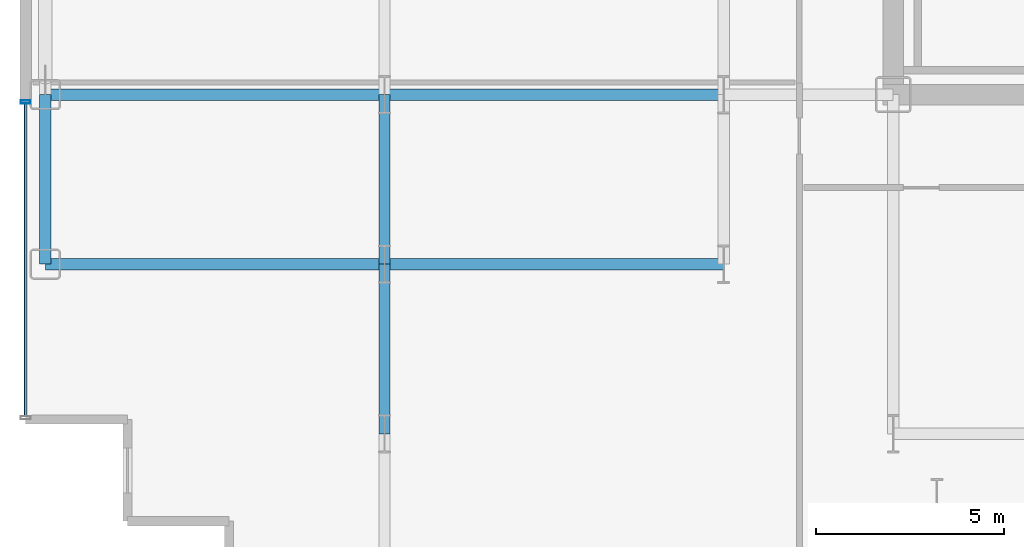
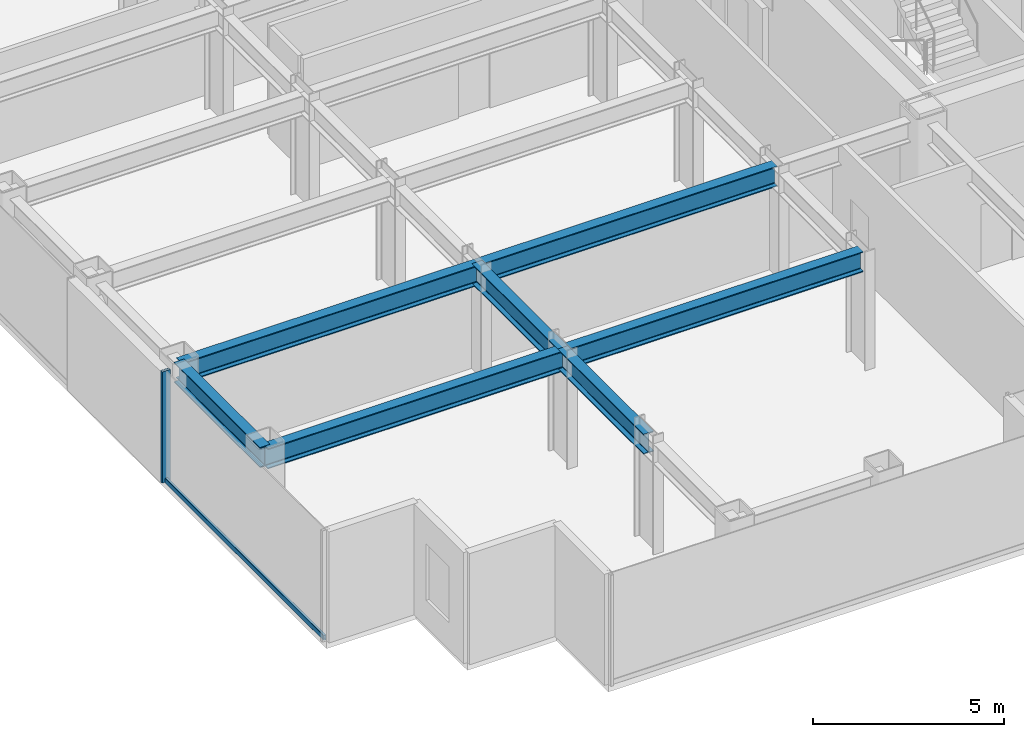
# One storey, part 3 of 29: 7 beams, 2 members, 1 element without a shape of its own.
"""IFC4 building model written with IfcOpenShell, lengths in metres."""

import ifcopenshell
import ifcopenshell.guid

model = None  # the IFC model being written
_history = None  # IfcOwnerHistory: only IFC2X3 demands one
_inside = {}  # id of a spatial element -> (the spatial element, [elements in it])
_under = {}  # id of a project, library or spatial element -> (it, [spatial elements below it])
_declared = {}  # id of a project -> (the project, [libraries it declares])
_typed = {}  # id of a type object -> (the type object, [elements of that type])
_made_of = {}  # id of a material, layer set ... -> (it, [elements and type objects made of it])


def new_model(schema):
    """Start an empty IFC model of exactly this schema.

    Asked for "IFC4X3", IfcOpenShell would pick the latest addendum, in which some entities
    have other attributes; the version numbers below select the first issue.
    IFC2X3 requires an IfcOwnerHistory on every rooted entity: one is made here for all.
    """
    global model, _history
    if schema == "IFC4X3":
        model = ifcopenshell.file(schema_version=(4, 3, 0, 0))
    else:
        model = ifcopenshell.file(schema=schema)
    _inside.clear()
    _under.clear()
    _declared.clear()
    _typed.clear()
    _made_of.clear()
    _history = None
    if model.schema == "IFC2X3":
        org = make("IfcOrganization", Name="unknown")
        user = make(
            "IfcPersonAndOrganization",
            ThePerson=make("IfcPerson", FamilyName="unknown"),
            TheOrganization=org,
        )
        app = make(
            "IfcApplication",
            ApplicationDeveloper=org,
            Version="unknown",
            ApplicationFullName="unknown",
            ApplicationIdentifier="unknown",
        )
        _history = make(
            "IfcOwnerHistory",
            OwningUser=user,
            OwningApplication=app,
            ChangeAction="ADDED",
            CreationDate=0,
        )
    return model


def make(cls, **values):
    """One entity of the class cls with the attributes given. An attribute that is None is left unset."""
    return model.create_entity(
        cls, **{name: value for name, value in values.items() if value is not None}
    )


def rooted(cls, **values):
    """An entity with a GlobalId (a new one), such as an element, a storey or a relation."""
    return make(cls, GlobalId=ifcopenshell.guid.new(), OwnerHistory=_history, **values)


def si_unit(unit_type, name, prefix=None):
    """IfcSIUnit, for example si_unit("LENGTHUNIT", "METRE", prefix="MILLI")."""
    return make("IfcSIUnit", UnitType=unit_type, Prefix=prefix, Name=name)


def assignment(units):
    """IfcUnitAssignment: the units of a project."""
    return None if units is None else make("IfcUnitAssignment", Units=units)


def point(xyz):
    """IfcCartesianPoint."""
    return None if xyz is None else make("IfcCartesianPoint", Coordinates=xyz)


def direction(xyz):
    """IfcDirection."""
    return None if xyz is None else make("IfcDirection", DirectionRatios=xyz)


def frame(location, z_axis=None, x_axis=None):
    """IfcAxis2Placement3D, a coordinate frame: its origin and axes. An axis left out is left unset."""
    return make(
        "IfcAxis2Placement3D",
        Location=point(location),
        Axis=direction(z_axis),
        RefDirection=direction(x_axis),
    )


def frame_2d(location, x_axis=None):
    """IfcAxis2Placement2D, a coordinate frame in the plane: its origin and x axis."""
    return make(
        "IfcAxis2Placement2D", Location=point(location), RefDirection=direction(x_axis)
    )


def origin():
    """The frame at (0, 0, 0) with its axes left unset."""
    return frame((0.0, 0.0, 0.0))


def origin_2d():
    """The frame at (0, 0) in the plane with its x axis left unset."""
    return frame_2d((0.0, 0.0))


def place(relative_to, where):
    """IfcLocalPlacement: puts the frame where relative to a parent placement (None: the world)."""
    return make(
        "IfcLocalPlacement", PlacementRelTo=relative_to, RelativePlacement=where
    )


def context(
    kind, dimensions, precision=None, world=None, true_north=None, identifier=None
):
    """IfcGeometricRepresentationContext, for example the 3D "Model" context."""
    return make(
        "IfcGeometricRepresentationContext",
        ContextIdentifier=identifier,
        ContextType=kind,
        CoordinateSpaceDimension=dimensions,
        Precision=precision,
        WorldCoordinateSystem=world,
        TrueNorth=true_north,
    )


def subcontext(parent, identifier, kind, view, scale=None):
    """IfcGeometricRepresentationSubContext, for example "Body" below "Model"."""
    return make(
        "IfcGeometricRepresentationSubContext",
        ContextIdentifier=identifier,
        ContextType=kind,
        ParentContext=parent,
        TargetScale=scale,
        TargetView=view,
    )


def project(units=None, contexts=None):
    """IfcProject with its units and contexts."""
    return rooted(
        "IfcProject",
        Name="project",
        RepresentationContexts=contexts,
        UnitsInContext=assignment(units),
    )


def spatial(cls, under=None, at=None, **own):
    """A site, building, storey or space (cls), placed at a placement, below another one or the project."""
    s = rooted(cls, ObjectPlacement=at, **own)
    if under is not None:
        _under.setdefault(under.id(), (under, []))[1].append(s)
    return s


def profile(cls, at=None, kind="AREA", **sizes):
    """A parametric profile (cls). Its sizes go by their IFC names, for example OverallWidth=200.0."""
    return make(cls, ProfileType=kind, Position=at, **sizes)


def hollow_rectangle(**sizes):
    """IfcRectangleHollowProfileDef."""
    return profile("IfcRectangleHollowProfileDef", **sizes)


def i_section(**sizes):
    """IfcIShapeProfileDef."""
    return profile("IfcIShapeProfileDef", **sizes)


def extrude(swept, where, along, depth):
    """IfcExtrudedAreaSolid: the profile swept, set in the frame where, extruded along a direction by depth."""
    return make(
        "IfcExtrudedAreaSolid",
        SweptArea=swept,
        Position=where,
        ExtrudedDirection=direction(along),
        Depth=depth,
    )


def shape(context_of_items, identifier, shape_type, items):
    """IfcShapeRepresentation: the items that make up one representation, for example the "Body"."""
    return make(
        "IfcShapeRepresentation",
        ContextOfItems=context_of_items,
        RepresentationIdentifier=identifier,
        RepresentationType=shape_type,
        Items=items,
    )


def source(mapping_origin, context_of_items, identifier, shape_type, items):
    """IfcRepresentationMap: a shape defined once, which mapped items show again and again."""
    return make(
        "IfcRepresentationMap",
        MappingOrigin=mapping_origin,
        MappedRepresentation=shape(context_of_items, identifier, shape_type, items),
    )


def transform(
    local_origin,
    x_axis=None,
    y_axis=None,
    z_axis=None,
    scale=None,
    scale2=None,
    scale3=None,
    uniform=True,
):
    """IfcCartesianTransformationOperator3D, or its non-uniform kind. x_axis, y_axis, z_axis: its Axis1, 2, 3."""
    if uniform:
        return make(
            "IfcCartesianTransformationOperator3D",
            Axis1=direction(x_axis),
            Axis2=direction(y_axis),
            LocalOrigin=point(local_origin),
            Scale=scale,
            Axis3=direction(z_axis),
        )
    return make(
        "IfcCartesianTransformationOperator3DnonUniform",
        Axis1=direction(x_axis),
        Axis2=direction(y_axis),
        LocalOrigin=point(local_origin),
        Scale=scale,
        Axis3=direction(z_axis),
        Scale2=scale2,
        Scale3=scale3,
    )


def mapped(mapping_source, mapping_target):
    """IfcMappedItem: shows the shape of a source again, moved by a transform."""
    return make(
        "IfcMappedItem", MappingSource=mapping_source, MappingTarget=mapping_target
    )


def material(Name=None, Category=None):
    """IfcMaterial."""
    return make("IfcMaterial", Name=Name, Category=Category)


def layer(
    of_material, thickness, ventilated=None, Name=None, Category=None, Priority=None
):
    """IfcMaterialLayer: one layer of a wall or slab, of a material (None: an air gap)."""
    return make(
        "IfcMaterialLayer",
        Material=of_material,
        LayerThickness=thickness,
        IsVentilated=ventilated,
        Name=Name,
        Category=Category,
        Priority=Priority,
    )


def layer_set(layers, Name=None):
    """IfcMaterialLayerSet."""
    return make("IfcMaterialLayerSet", MaterialLayers=layers, LayerSetName=Name)


def material_profile(
    of_material, cross_section, Name=None, Category=None, Priority=None
):
    """IfcMaterialProfile: a cross section and its material."""
    return make(
        "IfcMaterialProfile",
        Name=Name,
        Material=of_material,
        Profile=cross_section,
        Priority=Priority,
        Category=Category,
    )


def profile_set(profiles, Name=None, composite=None):
    """IfcMaterialProfileSet."""
    return make(
        "IfcMaterialProfileSet",
        Name=Name,
        MaterialProfiles=profiles,
        CompositeProfile=composite,
    )


def made_of(thing, what):
    """Note that an element or type object is made of a material, layer set ...; save() writes the relation."""
    if what is not None:
        _made_of.setdefault(what.id(), (what, []))[1].append(thing)
    return thing


def type_object(cls, material=None, **own):
    """A type object (cls), such as IfcWallType, which elements share."""
    return made_of(rooted(cls, **own), material)


def element(
    cls,
    number,
    at=None,
    inside=None,
    cuts=None,
    type_object=None,
    material=None,
    context=None,
    identifier="Body",
    shape_type=None,
    held_by="IfcProductDefinitionShape",
    body=None,
    shapes=None,
    **own,
):
    """One element of the class cls, such as IfcWall. Its Tag is "e" and its number.

    at: its placement. inside: the storey or other place that contains it. cuts: it is an
    opening in that element (IfcRelVoidsElement). A single representation is given by context,
    identifier, shape_type and body (its items); several are given by shapes. held_by: the class
    of the entity that holds the representations. save() writes the other relations.
    """
    e = rooted(cls, Tag="e%d" % number, ObjectPlacement=at, **own)
    if body is not None:
        shapes = [shape(context, identifier, shape_type, body)]
    if shapes is not None:
        e.Representation = make(held_by, Representations=shapes)
    if inside is not None:
        _inside.setdefault(inside.id(), (inside, []))[1].append(e)
    if cuts is not None:
        rooted(
            "IfcRelVoidsElement", RelatingBuildingElement=cuts, RelatedOpeningElement=e
        )
    if type_object is not None:
        _typed.setdefault(type_object.id(), (type_object, []))[1].append(e)
    return made_of(e, material)


def aggregate(whole, parts):
    """IfcRelAggregates: a whole, such as a stair, and the parts it consists of."""
    return rooted("IfcRelAggregates", RelatingObject=whole, RelatedObjects=parts)


def save(model, path):
    """Write the relations noted so far, then the file.

    IfcRelAggregates (storeys below a building ...), IfcRelContainedInSpatialStructure (elements
    in a storey), IfcRelDefinesByType, IfcRelAssociatesMaterial and IfcRelDeclares: one each for
    every whole, place, type object, material and project.
    """
    for whole, parts in _under.values():
        aggregate(whole, parts)
    for where, things in _inside.values():
        rooted(
            "IfcRelContainedInSpatialStructure",
            RelatedElements=things,
            RelatingStructure=where,
        )
    for kind, things in _typed.values():
        rooted("IfcRelDefinesByType", RelatedObjects=things, RelatingType=kind)
    for what, things in _made_of.values():
        rooted("IfcRelAssociatesMaterial", RelatedObjects=things, RelatingMaterial=what)
    for by, libraries in _declared.values():
        rooted("IfcRelDeclares", RelatingContext=by, RelatedDefinitions=libraries)
    model.write(path)


model = new_model("IFC4")

# Units and contexts
model_context = context("Model", 3, precision=1e-05, world=origin(), true_north=direction((0.0, 1.0)))
body_context = subcontext(model_context, "Body", "Model", "MODEL_VIEW")
ifc_project = project(units=[si_unit("LENGTHUNIT", "METRE"), si_unit("AREAUNIT", "SQUARE_METRE"), si_unit("VOLUMEUNIT", "CUBIC_METRE"), si_unit("PLANEANGLEUNIT", "RADIAN"), si_unit("MASSUNIT", "GRAM", prefix="KILO")], contexts=[model_context])

# Site, building, storey
site_placement = place(None, origin())
site = spatial("IfcSite", under=ifc_project, at=site_placement, CompositionType="ELEMENT")
building_placement = place(site_placement, origin())
building = spatial("IfcBuilding", under=site, at=building_placement, Name="Nefas-Gora Pilgrimage Tower", CompositionType="ELEMENT")
storey_placement = place(building_placement, frame((0.0, 0.0, 125.0)))
storey = spatial("IfcBuildingStorey", under=building, at=storey_placement, Name="L30", CompositionType="ELEMENT", Elevation=125.0)

# Beams
ifc_material_1 = material(Name="Steel S355", Category="steel")
ifc_material_profile_1 = material_profile(ifc_material_1, i_section(OverallWidth=0.300048828125, OverallDepth=0.64990234375, WebThickness=0.01611328125, FlangeThickness=0.031005859375, FilletRadius=0.027099609375, at=origin_2d()), Name="HEB 650")
ifc_profile_set_1 = profile_set([ifc_material_profile_1], Name="Steel S355")
beam_type_1 = type_object("IfcBeamType", Name="BM-SPN-HEB500", PredefinedType="SPANDREL", material=ifc_profile_set_1)
shared_shape_1 = source(origin(), body_context, "Body", "SweptSolid", [
    extrude(i_section(OverallWidth=0.300048828125, OverallDepth=0.64990234375, WebThickness=0.01611328125, FlangeThickness=0.031005859375, FilletRadius=0.027099609375, at=origin_2d()), origin(), (0.0, 0.0, 1.0), 4.5),
])
beam_placement = place(storey_placement, frame((-33.75, -13.5, 3.22509765625), z_axis=(0.0, 1.0, 0.0), x_axis=(-1.0, 0.0, 0.0)))
element("IfcBeam", 1, at=beam_placement, inside=storey, type_object=beam_type_1, Name="L30 SP-02 beam", PredefinedType="SPANDREL", context=body_context, shape_type="MappedRepresentation", body=[
    mapped(shared_shape_1, transform((0.0, 0.0, 0.0), x_axis=(1.0, 0.0, 0.0), y_axis=(0.0, 1.0, 0.0), z_axis=(0.0, 0.0, 1.0), scale=1.0)),
])
ifc_material_profile_2 = material_profile(ifc_material_1, i_section(OverallWidth=0.300048828125, OverallDepth=0.64990234375, WebThickness=0.01611328125, FlangeThickness=0.031005859375, FilletRadius=0.027099609375, at=origin_2d()), Name="HEB 650")
ifc_profile_set_2 = profile_set([ifc_material_profile_2], Name="Steel S355")
beam_type_2 = type_object("IfcBeamType", Name="BM-GIR-HEB650", PredefinedType="BEAM", material=ifc_profile_set_2)
shared_shape_2 = source(origin(), body_context, "Body", "SweptSolid", [
    extrude(i_section(OverallWidth=0.300048828125, OverallDepth=0.64990234375, WebThickness=0.01611328125, FlangeThickness=0.031005859375, FilletRadius=0.027099609375, at=origin_2d()), origin(), (0.0, 0.0, 1.0), 9.0),
])
for number, where, z_axis, x_axis, name in (
    (2, (-33.75, -13.5, 3.22509765625), (1.0, 0.0, 0.0), (0.0, 1.0, 0.0), "L30 G-03 beam"),
    (3, (-33.75, -9.0, 3.22509765625), (1.0, 0.0, 0.0), (0.0, 1.0, 0.0), "L30 G-03 beam"),
    (4, (-24.75, -13.5, 3.22509765625), (1.0, 0.0, 0.0), (0.0, 1.0, 0.0), "L30 G-03 beam"),
    (5, (-24.75, -9.0, 3.22509765625), (1.0, 0.0, 0.0), (0.0, 1.0, 0.0), "L30 G-03 beam"),
):
    element("IfcBeam", number, at=place(storey_placement, frame(where, z_axis=z_axis, x_axis=x_axis)), inside=storey, type_object=beam_type_2, Name=name, PredefinedType="BEAM", context=body_context, shape_type="MappedRepresentation", body=[
        mapped(shared_shape_2, transform((0.0, 0.0, 0.0), x_axis=(1.0, 0.0, 0.0), y_axis=(0.0, 1.0, 0.0), z_axis=(0.0, 0.0, 1.0), scale=1.0)),
    ])
shared_shape_3 = source(origin(), body_context, "Body", "SweptSolid", [
    extrude(i_section(OverallWidth=0.300048828125, OverallDepth=0.64990234375, WebThickness=0.01611328125, FlangeThickness=0.031005859375, FilletRadius=0.027099609375, at=origin_2d()), origin(), (0.0, 0.0, 1.0), 4.5),
])
for number, where, z_axis, x_axis, name in (
    (6, (-24.75, -18.0, 3.22509765625), (0.0, 1.0, 0.0), (-1.0, 0.0, 0.0), "L30 G-03 beam"),
    (7, (-24.75, -13.5, 3.22509765625), (0.0, 1.0, 0.0), (-1.0, 0.0, 0.0), "L30 G-03 beam"),
):
    element("IfcBeam", number, at=place(storey_placement, frame(where, z_axis=z_axis, x_axis=x_axis)), inside=storey, type_object=beam_type_2, Name=name, PredefinedType="BEAM", context=body_context, shape_type="MappedRepresentation", body=[
        mapped(shared_shape_3, transform((0.0, 0.0, 0.0), x_axis=(1.0, 0.0, 0.0), y_axis=(0.0, 1.0, 0.0), z_axis=(0.0, 0.0, 1.0), scale=1.0)),
    ])

# Curtain wall, members
ifc_material_2 = material(Name="Dark ceramic-fritted solar-control aluminium-glass curtain wall", Category="aluminium")
ifc_layer = layer(ifc_material_2, 0.219970703125)
ifc_layer_set = layer_set([ifc_layer], Name="Dark ceramic-fritted solar-control aluminium-glass curtain wall")
curtain_wall_type = type_object("IfcCurtainWallType", Name="CW-SYS-2", PredefinedType="NOTDEFINED", material=ifc_layer_set)
curtain_wall_placement = place(storey_placement, origin())
curtain_wall = element("IfcCurtainWall", 8, at=curtain_wall_placement, inside=storey, type_object=curtain_wall_type, Name="L30 Unitised Curtain Wall CW2", PredefinedType="NOTDEFINED")
ifc_material_3 = material(Name="Anodised architectural aluminium", Category="aluminium")
ifc_material_profile_3 = material_profile(ifc_material_3, hollow_rectangle(XDim=0.090087890625, YDim=0.260009765625, WallThickness=0.006103515625, InnerFilletRadius=0.006103515625, OuterFilletRadius=0.011962890625, at=origin_2d()), Name="ALU MULLION 90x260")
ifc_profile_set_3 = profile_set([ifc_material_profile_3], Name="Anodised architectural aluminium")
member_type_1 = type_object("IfcMemberType", Name="CWM-MUL-2", PredefinedType="MULLION", material=ifc_profile_set_3)
shared_shape_4 = source(origin(), body_context, "Body", "SweptSolid", [
    extrude(hollow_rectangle(XDim=0.090087890625, YDim=0.260009765625, WallThickness=0.006103515625, InnerFilletRadius=0.006103515625, OuterFilletRadius=0.011962890625, at=origin_2d()), origin(), (0.0, 0.0, 1.0), 3.550048828125),
])
member_1_placement = place(storey_placement, frame((-34.27001953125, -9.195068359375, 0.0), z_axis=(0.0, 0.0, 1.0), x_axis=(0.0, -1.0, 0.0)))
member_1 = element("IfcMember", 9, at=member_1_placement, type_object=member_type_1, Name="CW2 Mullion 1", PredefinedType="MULLION", context=body_context, shape_type="MappedRepresentation", body=[
    mapped(shared_shape_4, transform((0.0, 0.0, 0.0), x_axis=(1.0, 0.0, 0.0), y_axis=(0.0, 1.0, 0.0), z_axis=(0.0, 0.0, 1.0), scale=1.0)),
])
ifc_material_profile_4 = material_profile(ifc_material_3, hollow_rectangle(XDim=0.080078125, YDim=0.159912109375, WallThickness=0.00439453125, InnerFilletRadius=0.00439453125, OuterFilletRadius=0.009033203125, at=origin_2d()), Name="ALU TRANSOM 80x160")
ifc_profile_set_4 = profile_set([ifc_material_profile_4], Name="Anodised architectural aluminium")
member_type_2 = type_object("IfcMemberType", Name="CWM-TRN-2", PredefinedType="USERDEFINED", material=ifc_profile_set_4)
shared_shape_5 = source(origin(), body_context, "Body", "SweptSolid", [
    extrude(hollow_rectangle(XDim=0.080078125, YDim=0.159912109375, WallThickness=0.00439453125, InnerFilletRadius=0.00439453125, OuterFilletRadius=0.009033203125, at=origin_2d()), origin(), (0.0, 0.0, 1.0), 8.2900390625),
])
member_2_placement = place(storey_placement, frame((-34.27001953125, -9.239990234375, 0.050048828125), z_axis=(0.0, -1.0, 0.0), x_axis=(1.0, 0.0, 0.0)))
member_2 = element("IfcMember", 10, at=member_2_placement, type_object=member_type_2, Name="CW2 Spandrel Transom", ObjectType="TRANSOM", PredefinedType="USERDEFINED", context=body_context, shape_type="MappedRepresentation", body=[
    mapped(shared_shape_5, transform((0.0, 0.0, 0.0), x_axis=(1.0, 0.0, 0.0), y_axis=(0.0, 1.0, 0.0), z_axis=(0.0, 0.0, 1.0), scale=1.0)),
])
aggregate(curtain_wall, [member_1, member_2])

save(model, "model.ifc")
